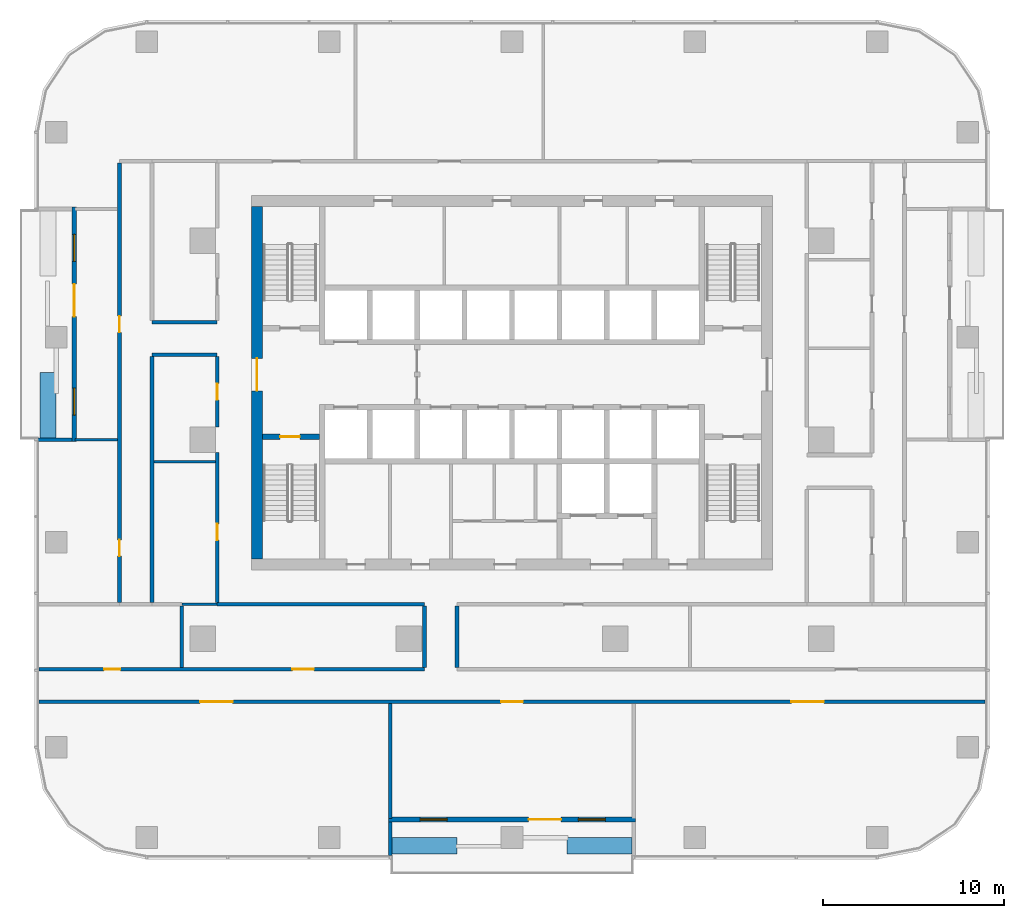
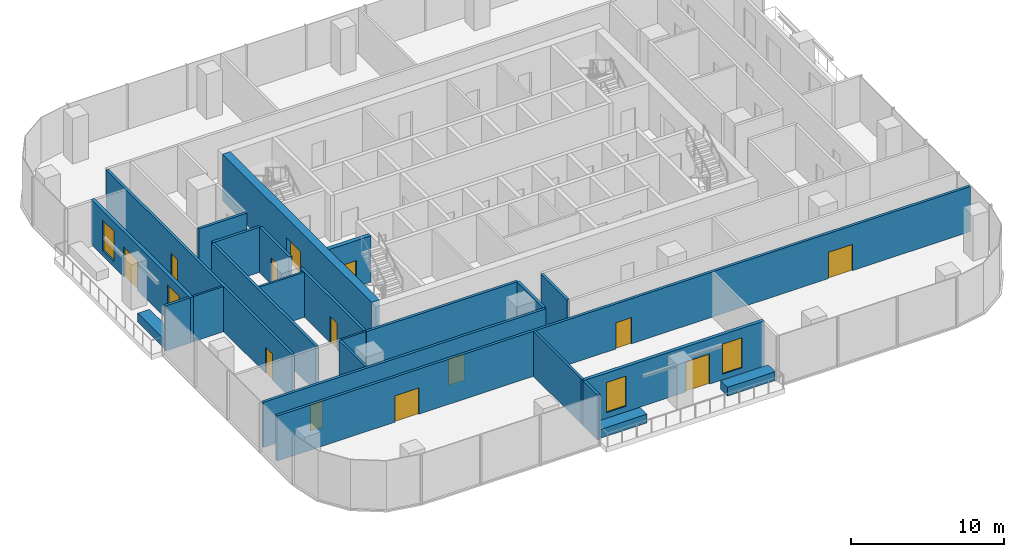
# One storey, part 7 of 15: 25 walls, 13 doors, 4 windows, 17 openings.
"""IFC4 building model written with IfcOpenShell, lengths in metres."""

import ifcopenshell
import ifcopenshell.guid

model = None  # the IFC model being written
_history = None  # IfcOwnerHistory: only IFC2X3 demands one
_inside = {}  # id of a spatial element -> (the spatial element, [elements in it])
_under = {}  # id of a project, library or spatial element -> (it, [spatial elements below it])
_declared = {}  # id of a project -> (the project, [libraries it declares])
_typed = {}  # id of a type object -> (the type object, [elements of that type])
_made_of = {}  # id of a material, layer set ... -> (it, [elements and type objects made of it])


def new_model(schema):
    """Start an empty IFC model of exactly this schema.

    Asked for "IFC4X3", IfcOpenShell would pick the latest addendum, in which some entities
    have other attributes; the version numbers below select the first issue.
    IFC2X3 requires an IfcOwnerHistory on every rooted entity: one is made here for all.
    """
    global model, _history
    if schema == "IFC4X3":
        model = ifcopenshell.file(schema_version=(4, 3, 0, 0))
    else:
        model = ifcopenshell.file(schema=schema)
    _inside.clear()
    _under.clear()
    _declared.clear()
    _typed.clear()
    _made_of.clear()
    _history = None
    if model.schema == "IFC2X3":
        org = make("IfcOrganization", Name="unknown")
        user = make(
            "IfcPersonAndOrganization",
            ThePerson=make("IfcPerson", FamilyName="unknown"),
            TheOrganization=org,
        )
        app = make(
            "IfcApplication",
            ApplicationDeveloper=org,
            Version="unknown",
            ApplicationFullName="unknown",
            ApplicationIdentifier="unknown",
        )
        _history = make(
            "IfcOwnerHistory",
            OwningUser=user,
            OwningApplication=app,
            ChangeAction="ADDED",
            CreationDate=0,
        )
    return model


def make(cls, **values):
    """One entity of the class cls with the attributes given. An attribute that is None is left unset."""
    return model.create_entity(
        cls, **{name: value for name, value in values.items() if value is not None}
    )


def rooted(cls, **values):
    """An entity with a GlobalId (a new one), such as an element, a storey or a relation."""
    return make(cls, GlobalId=ifcopenshell.guid.new(), OwnerHistory=_history, **values)


def si_unit(unit_type, name, prefix=None):
    """IfcSIUnit, for example si_unit("LENGTHUNIT", "METRE", prefix="MILLI")."""
    return make("IfcSIUnit", UnitType=unit_type, Prefix=prefix, Name=name)


def assignment(units):
    """IfcUnitAssignment: the units of a project."""
    return None if units is None else make("IfcUnitAssignment", Units=units)


def point(xyz):
    """IfcCartesianPoint."""
    return None if xyz is None else make("IfcCartesianPoint", Coordinates=xyz)


def direction(xyz):
    """IfcDirection."""
    return None if xyz is None else make("IfcDirection", DirectionRatios=xyz)


def frame(location, z_axis=None, x_axis=None):
    """IfcAxis2Placement3D, a coordinate frame: its origin and axes. An axis left out is left unset."""
    return make(
        "IfcAxis2Placement3D",
        Location=point(location),
        Axis=direction(z_axis),
        RefDirection=direction(x_axis),
    )


def frame_2d(location, x_axis=None):
    """IfcAxis2Placement2D, a coordinate frame in the plane: its origin and x axis."""
    return make(
        "IfcAxis2Placement2D", Location=point(location), RefDirection=direction(x_axis)
    )


def origin():
    """The frame at (0, 0, 0) with its axes left unset."""
    return frame((0.0, 0.0, 0.0))


def place(relative_to, where):
    """IfcLocalPlacement: puts the frame where relative to a parent placement (None: the world)."""
    return make(
        "IfcLocalPlacement", PlacementRelTo=relative_to, RelativePlacement=where
    )


def context(
    kind, dimensions, precision=None, world=None, true_north=None, identifier=None
):
    """IfcGeometricRepresentationContext, for example the 3D "Model" context."""
    return make(
        "IfcGeometricRepresentationContext",
        ContextIdentifier=identifier,
        ContextType=kind,
        CoordinateSpaceDimension=dimensions,
        Precision=precision,
        WorldCoordinateSystem=world,
        TrueNorth=true_north,
    )


def subcontext(parent, identifier, kind, view, scale=None):
    """IfcGeometricRepresentationSubContext, for example "Body" below "Model"."""
    return make(
        "IfcGeometricRepresentationSubContext",
        ContextIdentifier=identifier,
        ContextType=kind,
        ParentContext=parent,
        TargetScale=scale,
        TargetView=view,
    )


def project(units=None, contexts=None):
    """IfcProject with its units and contexts."""
    return rooted(
        "IfcProject",
        Name="project",
        RepresentationContexts=contexts,
        UnitsInContext=assignment(units),
    )


def spatial(cls, under=None, at=None, **own):
    """A site, building, storey or space (cls), placed at a placement, below another one or the project."""
    s = rooted(cls, ObjectPlacement=at, **own)
    if under is not None:
        _under.setdefault(under.id(), (under, []))[1].append(s)
    return s


def profile(cls, at=None, kind="AREA", **sizes):
    """A parametric profile (cls). Its sizes go by their IFC names, for example OverallWidth=200.0."""
    return make(cls, ProfileType=kind, Position=at, **sizes)


def rectangle(**sizes):
    """IfcRectangleProfileDef."""
    return profile("IfcRectangleProfileDef", **sizes)


def extrude(swept, where, along, depth):
    """IfcExtrudedAreaSolid: the profile swept, set in the frame where, extruded along a direction by depth."""
    return make(
        "IfcExtrudedAreaSolid",
        SweptArea=swept,
        Position=where,
        ExtrudedDirection=direction(along),
        Depth=depth,
    )


def shape(context_of_items, identifier, shape_type, items):
    """IfcShapeRepresentation: the items that make up one representation, for example the "Body"."""
    return make(
        "IfcShapeRepresentation",
        ContextOfItems=context_of_items,
        RepresentationIdentifier=identifier,
        RepresentationType=shape_type,
        Items=items,
    )


def material(Name=None, Category=None):
    """IfcMaterial."""
    return make("IfcMaterial", Name=Name, Category=Category)


def layer(
    of_material, thickness, ventilated=None, Name=None, Category=None, Priority=None
):
    """IfcMaterialLayer: one layer of a wall or slab, of a material (None: an air gap)."""
    return make(
        "IfcMaterialLayer",
        Material=of_material,
        LayerThickness=thickness,
        IsVentilated=ventilated,
        Name=Name,
        Category=Category,
        Priority=Priority,
    )


def layer_set(layers, Name=None):
    """IfcMaterialLayerSet."""
    return make("IfcMaterialLayerSet", MaterialLayers=layers, LayerSetName=Name)


def made_of(thing, what):
    """Note that an element or type object is made of a material, layer set ...; save() writes the relation."""
    if what is not None:
        _made_of.setdefault(what.id(), (what, []))[1].append(thing)
    return thing


def type_object(cls, material=None, **own):
    """A type object (cls), such as IfcWallType, which elements share."""
    return made_of(rooted(cls, **own), material)


def element(
    cls,
    number,
    at=None,
    inside=None,
    cuts=None,
    type_object=None,
    material=None,
    context=None,
    identifier="Body",
    shape_type=None,
    held_by="IfcProductDefinitionShape",
    body=None,
    shapes=None,
    **own,
):
    """One element of the class cls, such as IfcWall. Its Tag is "e" and its number.

    at: its placement. inside: the storey or other place that contains it. cuts: it is an
    opening in that element (IfcRelVoidsElement). A single representation is given by context,
    identifier, shape_type and body (its items); several are given by shapes. held_by: the class
    of the entity that holds the representations. save() writes the other relations.
    """
    e = rooted(cls, Tag="e%d" % number, ObjectPlacement=at, **own)
    if body is not None:
        shapes = [shape(context, identifier, shape_type, body)]
    if shapes is not None:
        e.Representation = make(held_by, Representations=shapes)
    if inside is not None:
        _inside.setdefault(inside.id(), (inside, []))[1].append(e)
    if cuts is not None:
        rooted(
            "IfcRelVoidsElement", RelatingBuildingElement=cuts, RelatedOpeningElement=e
        )
    if type_object is not None:
        _typed.setdefault(type_object.id(), (type_object, []))[1].append(e)
    return made_of(e, material)


def fill(opening, filler):
    """IfcRelFillsElement: the door or window that sits in an opening."""
    return rooted(
        "IfcRelFillsElement",
        RelatingOpeningElement=opening,
        RelatedBuildingElement=filler,
    )


def aggregate(whole, parts):
    """IfcRelAggregates: a whole, such as a stair, and the parts it consists of."""
    return rooted("IfcRelAggregates", RelatingObject=whole, RelatedObjects=parts)


def save(model, path):
    """Write the relations noted so far, then the file.

    IfcRelAggregates (storeys below a building ...), IfcRelContainedInSpatialStructure (elements
    in a storey), IfcRelDefinesByType, IfcRelAssociatesMaterial and IfcRelDeclares: one each for
    every whole, place, type object, material and project.
    """
    for whole, parts in _under.values():
        aggregate(whole, parts)
    for where, things in _inside.values():
        rooted(
            "IfcRelContainedInSpatialStructure",
            RelatedElements=things,
            RelatingStructure=where,
        )
    for kind, things in _typed.values():
        rooted("IfcRelDefinesByType", RelatedObjects=things, RelatingType=kind)
    for what, things in _made_of.values():
        rooted("IfcRelAssociatesMaterial", RelatedObjects=things, RelatingMaterial=what)
    for by, libraries in _declared.values():
        rooted("IfcRelDeclares", RelatingContext=by, RelatedDefinitions=libraries)
    model.write(path)


model = new_model("IFC4")

# Units and contexts
model_context = context("Model", 3, precision=1e-05, world=origin(), true_north=direction((0.0, 1.0)))
body_context = subcontext(model_context, "Body", "Model", "MODEL_VIEW")
ifc_project = project(units=[si_unit("LENGTHUNIT", "METRE"), si_unit("AREAUNIT", "SQUARE_METRE"), si_unit("VOLUMEUNIT", "CUBIC_METRE"), si_unit("PLANEANGLEUNIT", "RADIAN"), si_unit("MASSUNIT", "GRAM", prefix="KILO")], contexts=[model_context])

# Site, building, storey
site_placement = place(None, origin())
site = spatial("IfcSite", under=ifc_project, at=site_placement, CompositionType="ELEMENT")
building_placement = place(site_placement, origin())
building = spatial("IfcBuilding", under=site, at=building_placement, Name="Mopane Tessera Tower", CompositionType="ELEMENT")
storey_placement = place(building_placement, frame((0.0, 0.0, 173.0)))
storey = spatial("IfcBuildingStorey", under=building, at=storey_placement, Name="L35", CompositionType="ELEMENT", Elevation=173.0)

# Wall, opening, door
ifc_material_1 = material(Name="Concrete C70/85", Category="concrete")
ifc_layer_1 = layer(ifc_material_1, 0.60009765625)
ifc_layer_set_1 = layer_set([ifc_layer_1], Name="Concrete C70/85")
wall_type_1 = type_object("IfcWallType", Name="Core shear wall 600 mm", PredefinedType="SHEAR", material=ifc_layer_set_1)
wall_1_placement = place(storey_placement, frame((-14.10009765625, -6.60009765625, 0.0), z_axis=(0.0, 0.0, 1.0), x_axis=(0.0, 1.0, 0.0)))
wall_1 = element("IfcWall", 1, at=wall_1_placement, inside=storey, type_object=wall_type_1, Name="L35 Core wall west", PredefinedType="SHEAR", context=body_context, shape_type="SweptSolid", body=[
    extrude(rectangle(XDim=19.5, YDim=0.60009765625, at=frame_2d((9.75, 0.0))), origin(), (0.0, 0.0, 1.0), 3.699951171875),
])
opening_1_placement = place(wall_1_placement, frame((9.300048828125, 0.0, 0.0)))
opening_1 = element("IfcOpeningElement", 2, at=opening_1_placement, cuts=wall_1, Name="Opening SD2", PredefinedType="OPENING", context=body_context, shape_type="SweptSolid", body=[
    extrude(rectangle(XDim=1.800048828125, YDim=2.10009765625, at=frame_2d((0.89990234375, 1.050048828125))), frame((0.0, 0.31201171875, 0.0), z_axis=(0.0, -1.0, 0.0), x_axis=(1.0, 0.0, 0.0)), (0.0, 0.0, 1.0), 0.6240234375),
])
ifc_material_2 = material(Name="Steel fire door", Category="steel")
door_type_1 = type_object("IfcDoorType", Name="Core entrance double door 1800 x 2100", OperationType="DOUBLE_DOOR_SINGLE_SWING", PredefinedType="DOOR", material=ifc_material_2)
door_1_placement = place(opening_1_placement, origin())
door_1 = element("IfcDoor", 3, at=door_1_placement, inside=storey, type_object=door_type_1, Name="L35 Core entrance door west", OperationType="DOUBLE_DOOR_SINGLE_SWING", OverallHeight=2.10009765625, OverallWidth=1.800048828125, PredefinedType="DOOR", context=body_context, shape_type="SweptSolid", body=[
    extrude(rectangle(XDim=1.800048828125, YDim=2.10009765625, at=frame_2d((0.89990234375, 1.050048828125))), frame((0.0, 0.02490234375, 0.0), z_axis=(0.0, -1.0, 0.0), x_axis=(1.0, 0.0, 0.0)), (0.0, 0.0, 1.0), 0.050048828125),
])
fill(opening_1, door_1)

# Walls
ifc_material_3 = material(Name="Gypsum board on staggered steel studs, double layer each face, acoustic mineral wool infill", Category="steel")
ifc_layer_2 = layer(ifc_material_3, 0.175048828125)
ifc_layer_set_2 = layer_set([ifc_layer_2], Name="Gypsum board on staggered steel studs, double layer each face, acoustic mineral wool infill")
wall_type_2 = type_object("IfcWallType", Name="Gypsum board acoustic partition 175, rated EI 60", PredefinedType="PARTITIONING", material=ifc_layer_set_2)
wall_2_placement = place(storey_placement, frame((-18.2548828125, -12.60009765625, 0.0), z_axis=(0.0, 0.0, 1.0), x_axis=(0.0, 1.0, 0.0)))
element("IfcWall", 4, at=wall_2_placement, inside=storey, type_object=wall_type_2, Name="Partition L35:032", PredefinedType="PARTITIONING", context=body_context, shape_type="SweptSolid", body=[
    extrude(rectangle(XDim=3.412109375, YDim=0.175048828125, at=frame_2d((1.7060546875, 0.0))), origin(), (0.0, 0.0, 1.0), 3.60009765625),
])
wall_3_placement = place(storey_placement, frame((-6.735107421875, -20.949951171875, 0.0), z_axis=(0.0, 0.0, 1.0), x_axis=(0.0, 1.0, 0.0)))
element("IfcWall", 5, at=wall_3_placement, inside=storey, type_object=wall_type_2, Name="Partition L35:038", PredefinedType="PARTITIONING", context=body_context, shape_type="SweptSolid", body=[
    extrude(rectangle(XDim=6.349853515625, YDim=0.175048828125, at=frame_2d((3.1748046875, 0.0))), origin(), (0.0, 0.0, 1.0), 3.60009765625),
])

# Wall, openings, doors
ifc_material_4 = material(Name="Gypsum board on steel studs, two layers each face, mineral wool infill", Category="steel")
ifc_layer_3 = layer(ifc_material_4, 0.199951171875)
ifc_layer_set_3 = layer_set([ifc_layer_3], Name="Gypsum board on steel studs, two layers each face, mineral wool infill")
wall_type_3 = type_object("IfcWallType", Name="Gypsum board corridor wall 200, rated EI 60", PredefinedType="PARTITIONING", material=ifc_layer_set_3)
wall_4_placement = place(storey_placement, frame((-26.14990234375, -14.5, 0.0), z_axis=(0.0, 0.0, 1.0), x_axis=(1.0, 0.0, 0.0)))
wall_4 = element("IfcWall", 6, at=wall_4_placement, inside=storey, type_object=wall_type_3, Name="Partition L35:000", PredefinedType="PARTITIONING", context=body_context, shape_type="SweptSolid", body=[
    extrude(rectangle(XDim=52.2998046875, YDim=0.199951171875, at=frame_2d((26.14990234375, 0.0))), origin(), (0.0, 0.0, 1.0), 3.60009765625),
])
opening_2_placement = place(wall_4_placement, frame((8.907470703125, 0.0, 0.0)))
opening_2 = element("IfcOpeningElement", 7, at=opening_2_placement, cuts=wall_4, Name="Opening L35-01", PredefinedType="OPENING", context=body_context, shape_type="SweptSolid", body=[
    extrude(rectangle(XDim=1.800048828125, YDim=2.10009765625, at=frame_2d((0.89990234375, 1.050048828125))), frame((0.0, 0.112060546875, 0.0), z_axis=(0.0, -1.0, 0.0), x_axis=(1.0, 0.0, 0.0)), (0.0, 0.0, 1.0), 0.223876953125),
])
opening_3_placement = place(wall_4_placement, frame((25.550048828125, 0.0, 0.0)))
opening_3 = element("IfcOpeningElement", 8, at=opening_3_placement, cuts=wall_4, Name="Opening L35-08", PredefinedType="OPENING", context=body_context, shape_type="SweptSolid", body=[
    extrude(rectangle(XDim=1.199951171875, YDim=2.10009765625, at=frame_2d((0.60009765625, 1.050048828125))), frame((0.0, 0.112060546875, 0.0), z_axis=(0.0, -1.0, 0.0), x_axis=(1.0, 0.0, 0.0)), (0.0, 0.0, 1.0), 0.223876953125),
])
opening_4_placement = place(wall_4_placement, frame((41.592529296875, 0.0, 0.0)))
opening_4 = element("IfcOpeningElement", 9, at=opening_4_placement, cuts=wall_4, Name="Opening L35-22", PredefinedType="OPENING", context=body_context, shape_type="SweptSolid", body=[
    extrude(rectangle(XDim=1.800048828125, YDim=2.10009765625, at=frame_2d((0.89990234375, 1.050048828125))), frame((0.0, 0.112060546875, 0.0), z_axis=(0.0, -1.0, 0.0), x_axis=(1.0, 0.0, 0.0)), (0.0, 0.0, 1.0), 0.223876953125),
])
ifc_material_5 = material(Name="Timber veneered steel-framed fire door", Category="steel")
door_type_2 = type_object("IfcDoorType", Name="Fire door FD60 1200 x 2100", OperationType="SINGLE_SWING_LEFT", PredefinedType="DOOR", material=ifc_material_5)
door_2_placement = place(opening_3_placement, origin())
door_2 = element("IfcDoor", 10, at=door_2_placement, inside=storey, type_object=door_type_2, Name="Door L35-08", ObjectType="D15A", OperationType="SINGLE_SWING_RIGHT", OverallHeight=2.10009765625, OverallWidth=1.199951171875, PredefinedType="DOOR", context=body_context, shape_type="SweptSolid", body=[
    extrude(rectangle(XDim=1.199951171875, YDim=2.10009765625, at=frame_2d((0.60009765625, 1.050048828125))), frame((0.0, 0.02490234375, 0.0), z_axis=(0.0, -1.0, 0.0), x_axis=(1.0, 0.0, 0.0)), (0.0, 0.0, 1.0), 0.050048828125),
])
fill(opening_3, door_2)
ifc_material_6 = material(Name="Timber veneered steel-framed fire door", Category="steel")
door_type_3 = type_object("IfcDoorType", Name="Fire door pair FD60 1800 x 2100", OperationType="DOUBLE_DOOR_SINGLE_SWING", PredefinedType="DOOR", material=ifc_material_6)
door_3_placement = place(opening_2_placement, origin())
door_3 = element("IfcDoor", 11, at=door_3_placement, inside=storey, type_object=door_type_3, Name="Door L35-01", ObjectType="D20A", OperationType="DOUBLE_DOOR_SINGLE_SWING", OverallHeight=2.10009765625, OverallWidth=1.800048828125, PredefinedType="DOOR", context=body_context, shape_type="SweptSolid", body=[
    extrude(rectangle(XDim=1.800048828125, YDim=2.10009765625, at=frame_2d((0.89990234375, 1.050048828125))), frame((0.0, 0.02490234375, 0.0), z_axis=(0.0, -1.0, 0.0), x_axis=(1.0, 0.0, 0.0)), (0.0, 0.0, 1.0), 0.050048828125),
])
fill(opening_2, door_3)
door_4_placement = place(opening_4_placement, origin())
door_4 = element("IfcDoor", 12, at=door_4_placement, inside=storey, type_object=door_type_3, Name="Door L35-22", ObjectType="D20A", OperationType="DOUBLE_DOOR_SINGLE_SWING", OverallHeight=2.10009765625, OverallWidth=1.800048828125, PredefinedType="DOOR", context=body_context, shape_type="SweptSolid", body=[
    extrude(rectangle(XDim=1.800048828125, YDim=2.10009765625, at=frame_2d((0.89990234375, 1.050048828125))), frame((0.0, 0.02490234375, 0.0), z_axis=(0.0, -1.0, 0.0), x_axis=(1.0, 0.0, 0.0)), (0.0, 0.0, 1.0), 0.050048828125),
])
fill(opening_4, door_4)

wall_5_placement = place(storey_placement, frame((-26.14990234375, -12.699951171875, 0.0), z_axis=(0.0, 0.0, 1.0), x_axis=(1.0, 0.0, 0.0)))
wall_5 = element("IfcWall", 13, at=wall_5_placement, inside=storey, type_object=wall_type_3, Name="Partition L35:001", PredefinedType="PARTITIONING", context=body_context, shape_type="SweptSolid", body=[
    extrude(rectangle(XDim=21.309814453125, YDim=0.199951171875, at=frame_2d((10.65478515625, 0.0))), origin(), (0.0, 0.0, 1.0), 3.60009765625),
])
opening_5_placement = place(wall_5_placement, frame((3.597412109375, 0.0, 0.0)))
opening_5 = element("IfcOpeningElement", 14, at=opening_5_placement, cuts=wall_5, Name="Opening L35-04", PredefinedType="OPENING", context=body_context, shape_type="SweptSolid", body=[
    extrude(rectangle(XDim=0.89990234375, YDim=2.10009765625, at=frame_2d((0.449951171875, 1.050048828125))), frame((0.0, 0.112060546875, 0.0), z_axis=(0.0, -1.0, 0.0), x_axis=(1.0, 0.0, 0.0)), (0.0, 0.0, 1.0), 0.223876953125),
])
opening_6_placement = place(wall_5_placement, frame((14.00244140625, 0.0, 0.0)))
opening_6 = element("IfcOpeningElement", 15, at=opening_6_placement, cuts=wall_5, Name="Opening L35-14", PredefinedType="OPENING", context=body_context, shape_type="SweptSolid", body=[
    extrude(rectangle(XDim=1.199951171875, YDim=2.10009765625, at=frame_2d((0.60009765625, 1.050048828125))), frame((0.0, 0.112060546875, 0.0), z_axis=(0.0, -1.0, 0.0), x_axis=(1.0, 0.0, 0.0)), (0.0, 0.0, 1.0), 0.223876953125),
])
door_5_placement = place(opening_6_placement, origin())
door_5 = element("IfcDoor", 16, at=door_5_placement, inside=storey, type_object=door_type_2, Name="Door L35-14", ObjectType="D15A", OperationType="SINGLE_SWING_LEFT", OverallHeight=2.10009765625, OverallWidth=1.199951171875, PredefinedType="DOOR", context=body_context, shape_type="SweptSolid", body=[
    extrude(rectangle(XDim=1.199951171875, YDim=2.10009765625, at=frame_2d((0.60009765625, 1.050048828125))), frame((0.0, 0.02490234375, 0.0), z_axis=(0.0, -1.0, 0.0), x_axis=(1.0, 0.0, 0.0)), (0.0, 0.0, 1.0), 0.050048828125),
])
fill(opening_6, door_5)
ifc_material_7 = material(Name="Timber veneered steel-framed fire door", Category="steel")
door_type_4 = type_object("IfcDoorType", Name="Fire door FD60 900 x 2100", OperationType="SINGLE_SWING_LEFT", PredefinedType="DOOR", material=ifc_material_7)
door_6_placement = place(opening_5_placement, origin())
door_6 = element("IfcDoor", 17, at=door_6_placement, inside=storey, type_object=door_type_4, Name="Door L35-04", ObjectType="D10A", OperationType="SINGLE_SWING_LEFT", OverallHeight=2.10009765625, OverallWidth=0.89990234375, PredefinedType="DOOR", context=body_context, shape_type="SweptSolid", body=[
    extrude(rectangle(XDim=0.89990234375, YDim=2.10009765625, at=frame_2d((0.449951171875, 1.050048828125))), frame((0.0, 0.02490234375, 0.0), z_axis=(0.0, -1.0, 0.0), x_axis=(1.0, 0.0, 0.0)), (0.0, 0.0, 1.0), 0.050048828125),
])
fill(opening_5, door_6)

# Walls
wall_6_placement = place(storey_placement, frame((-16.300048828125, -9.10009765625, 0.0), z_axis=(0.0, 0.0, 1.0), x_axis=(1.0, 0.0, 0.0)))
element("IfcWall", 18, at=wall_6_placement, inside=storey, type_object=wall_type_3, Name="Partition L35:009", PredefinedType="PARTITIONING", context=body_context, shape_type="SweptSolid", body=[
    extrude(rectangle(XDim=11.4599609375, YDim=0.199951171875, at=frame_2d((5.72998046875, 0.0))), origin(), (0.0, 0.0, 1.0), 3.60009765625),
])
for number, where, z_axis, x_axis, name in (
    (19, (-19.89990234375, 4.699951171875, 0.0), (0.0, 0.0, 1.0), (1.0, 0.0, 0.0), "Partition L35:017"),
    (20, (-19.89990234375, 6.5, 0.0), (0.0, 0.0, 1.0), (1.0, 0.0, 0.0), "Partition L35:019"),
):
    element("IfcWall", number, at=place(storey_placement, frame(where, z_axis=z_axis, x_axis=x_axis)), inside=storey, type_object=wall_type_3, Name=name, PredefinedType="PARTITIONING", context=body_context, shape_type="SweptSolid", body=[
        extrude(rectangle(XDim=3.599853515625, YDim=0.199951171875, at=frame_2d((1.7998046875, 0.0))), origin(), (0.0, 0.0, 1.0), 3.60009765625),
    ])

# Wall, openings, doors
wall_7_placement = place(storey_placement, frame((-21.699951171875, -9.0, 0.0), z_axis=(0.0, 0.0, 1.0), x_axis=(0.0, 1.0, 0.0)))
wall_7 = element("IfcWall", 21, at=wall_7_placement, inside=storey, type_object=wall_type_3, Name="Partition L35:029", PredefinedType="PARTITIONING", context=body_context, shape_type="SweptSolid", body=[
    extrude(rectangle(XDim=24.300048828125, YDim=0.199951171875, at=frame_2d((12.14990234375, 0.0))), origin(), (0.0, 0.0, 1.0), 3.60009765625),
])
opening_7_placement = place(wall_7_placement, frame((14.925048828125, 0.0, 0.0)))
opening_7 = element("IfcOpeningElement", 22, at=opening_7_placement, cuts=wall_7, Name="Opening L35-07", PredefinedType="OPENING", context=body_context, shape_type="SweptSolid", body=[
    extrude(rectangle(XDim=0.89990234375, YDim=2.10009765625, at=frame_2d((0.449951171875, 1.050048828125))), frame((0.0, 0.112060546875, 0.0), z_axis=(0.0, -1.0, 0.0), x_axis=(1.0, 0.0, 0.0)), (0.0, 0.0, 1.0), 0.223876953125),
])
opening_8_placement = place(wall_7_placement, frame((2.5625, 0.0, 0.0)))
opening_8 = element("IfcOpeningElement", 23, at=opening_8_placement, cuts=wall_7, Name="Opening L35-19", PredefinedType="OPENING", context=body_context, shape_type="SweptSolid", body=[
    extrude(rectangle(XDim=0.89990234375, YDim=2.10009765625, at=frame_2d((0.449951171875, 1.050048828125))), frame((0.0, 0.112060546875, 0.0), z_axis=(0.0, -1.0, 0.0), x_axis=(1.0, 0.0, 0.0)), (0.0, 0.0, 1.0), 0.223876953125),
])
door_7_placement = place(opening_7_placement, origin())
door_7 = element("IfcDoor", 24, at=door_7_placement, inside=storey, type_object=door_type_4, Name="Door L35-07", ObjectType="D10A", OperationType="SINGLE_SWING_RIGHT", OverallHeight=2.10009765625, OverallWidth=0.89990234375, PredefinedType="DOOR", context=body_context, shape_type="SweptSolid", body=[
    extrude(rectangle(XDim=0.89990234375, YDim=2.10009765625, at=frame_2d((0.449951171875, 1.050048828125))), frame((0.0, 0.02490234375, 0.0), z_axis=(0.0, -1.0, 0.0), x_axis=(1.0, 0.0, 0.0)), (0.0, 0.0, 1.0), 0.050048828125),
])
fill(opening_7, door_7)
door_8_placement = place(opening_8_placement, origin())
door_8 = element("IfcDoor", 25, at=door_8_placement, inside=storey, type_object=door_type_4, Name="Door L35-19", ObjectType="D10A", OperationType="SINGLE_SWING_RIGHT", OverallHeight=2.10009765625, OverallWidth=0.89990234375, PredefinedType="DOOR", context=body_context, shape_type="SweptSolid", body=[
    extrude(rectangle(XDim=0.89990234375, YDim=2.10009765625, at=frame_2d((0.449951171875, 1.050048828125))), frame((0.0, 0.02490234375, 0.0), z_axis=(0.0, -1.0, 0.0), x_axis=(1.0, 0.0, 0.0)), (0.0, 0.0, 1.0), 0.050048828125),
])
fill(opening_8, door_8)

# Wall
wall_8_placement = place(storey_placement, frame((-19.89990234375, -9.0, 0.0), z_axis=(0.0, 0.0, 1.0), x_axis=(0.0, 1.0, 0.0)))
element("IfcWall", 26, at=wall_8_placement, inside=storey, type_object=wall_type_3, Name="Partition L35:030", PredefinedType="PARTITIONING", context=body_context, shape_type="SweptSolid", body=[
    extrude(rectangle(XDim=13.60009765625, YDim=0.199951171875, at=frame_2d((6.800048828125, 0.0))), origin(), (0.0, 0.0, 1.0), 3.60009765625),
])

# Wall, opening, door
wall_9_placement = place(storey_placement, frame((-16.300048828125, -9.0, 0.0), z_axis=(0.0, 0.0, 1.0), x_axis=(0.0, 1.0, 0.0)))
wall_9 = element("IfcWall", 27, at=wall_9_placement, inside=storey, type_object=wall_type_3, Name="Partition L35:033", PredefinedType="PARTITIONING", context=body_context, shape_type="SweptSolid", body=[
    extrude(rectangle(XDim=8.300048828125, YDim=0.199951171875, at=frame_2d((4.14990234375, 0.0))), origin(), (0.0, 0.0, 1.0), 3.60009765625),
])
opening_9_placement = place(wall_9_placement, frame((3.4423828125, 0.0, 0.0)))
opening_9 = element("IfcOpeningElement", 28, at=opening_9_placement, cuts=wall_9, Name="Opening L35-10", PredefinedType="OPENING", context=body_context, shape_type="SweptSolid", body=[
    extrude(rectangle(XDim=0.89990234375, YDim=2.10009765625, at=frame_2d((0.449951171875, 1.050048828125))), frame((0.0, 0.112060546875, 0.0), z_axis=(0.0, -1.0, 0.0), x_axis=(1.0, 0.0, 0.0)), (0.0, 0.0, 1.0), 0.223876953125),
])
door_9_placement = place(opening_9_placement, origin())
door_9 = element("IfcDoor", 29, at=door_9_placement, inside=storey, type_object=door_type_4, Name="Door L35-10", ObjectType="D10A", OperationType="SINGLE_SWING_LEFT", OverallHeight=2.10009765625, OverallWidth=0.89990234375, PredefinedType="DOOR", context=body_context, shape_type="SweptSolid", body=[
    extrude(rectangle(XDim=0.89990234375, YDim=2.10009765625, at=frame_2d((0.449951171875, 1.050048828125))), frame((0.0, 0.02490234375, 0.0), z_axis=(0.0, -1.0, 0.0), x_axis=(1.0, 0.0, 0.0)), (0.0, 0.0, 1.0), 0.050048828125),
])
fill(opening_9, door_9)

wall_10_placement = place(storey_placement, frame((-16.300048828125, 0.699951171875, 0.0), z_axis=(0.0, 0.0, 1.0), x_axis=(0.0, 1.0, 0.0)))
wall_10 = element("IfcWall", 30, at=wall_10_placement, inside=storey, type_object=wall_type_3, Name="Partition L35:034", PredefinedType="PARTITIONING", context=body_context, shape_type="SweptSolid", body=[
    extrude(rectangle(XDim=3.900146484375, YDim=0.199951171875, at=frame_2d((1.9501953125, 0.0))), origin(), (0.0, 0.0, 1.0), 3.60009765625),
])
opening_10_placement = place(wall_10_placement, frame((1.5, 0.0, 0.0)))
opening_10 = element("IfcOpeningElement", 31, at=opening_10_placement, cuts=wall_10, Name="Opening L35-16", PredefinedType="OPENING", context=body_context, shape_type="SweptSolid", body=[
    extrude(rectangle(XDim=0.89990234375, YDim=2.10009765625, at=frame_2d((0.449951171875, 1.050048828125))), frame((0.0, 0.112060546875, 0.0), z_axis=(0.0, -1.0, 0.0), x_axis=(1.0, 0.0, 0.0)), (0.0, 0.0, 1.0), 0.223876953125),
])
door_10_placement = place(opening_10_placement, origin())
door_10 = element("IfcDoor", 32, at=door_10_placement, inside=storey, type_object=door_type_4, Name="Door L35-16", ObjectType="D10A", OperationType="SINGLE_SWING_LEFT", OverallHeight=2.10009765625, OverallWidth=0.89990234375, PredefinedType="DOOR", context=body_context, shape_type="SweptSolid", body=[
    extrude(rectangle(XDim=0.89990234375, YDim=2.10009765625, at=frame_2d((0.449951171875, 1.050048828125))), frame((0.0, 0.02490234375, 0.0), z_axis=(0.0, -1.0, 0.0), x_axis=(1.0, 0.0, 0.0)), (0.0, 0.0, 1.0), 0.050048828125),
])
fill(opening_10, door_10)

# Walls
for number, where, z_axis, x_axis, name in (
    (33, (-4.840087890625, -12.60009765625, 0.0), (0.0, 0.0, 1.0), (0.0, 1.0, 0.0), "Partition L35:039"),
    (34, (-3.0400390625, -12.60009765625, 0.0), (0.0, 0.0, 1.0), (0.0, 1.0, 0.0), "Partition L35:040"),
):
    element("IfcWall", number, at=place(storey_placement, frame(where, z_axis=z_axis, x_axis=x_axis)), inside=storey, type_object=wall_type_3, Name=name, PredefinedType="PARTITIONING", context=body_context, shape_type="SweptSolid", body=[
        extrude(rectangle(XDim=3.400146484375, YDim=0.199951171875, at=frame_2d((1.7001953125, 0.0))), origin(), (0.0, 0.0, 1.0), 3.60009765625),
    ])
ifc_material_8 = material(Name="Gypsum board on steel studs, mineral wool infill", Category="steel")
ifc_layer_4 = layer(ifc_material_8, 0.14990234375)
ifc_layer_set_4 = layer_set([ifc_layer_4], Name="Gypsum board on steel studs, mineral wool infill")
wall_type_4 = type_object("IfcWallType", Name="Gypsum board partition 150, rated EI 60", PredefinedType="PARTITIONING", material=ifc_layer_set_4)
wall_11_placement = place(storey_placement, frame((-18.2548828125, -9.10009765625, 0.0), z_axis=(0.0, 0.0, 1.0), x_axis=(1.0, 0.0, 0.0)))
element("IfcWall", 35, at=wall_11_placement, inside=storey, type_object=wall_type_4, Name="Partition L35:003", PredefinedType="PARTITIONING", context=body_context, shape_type="SweptSolid", body=[
    extrude(rectangle(XDim=1.954833984375, YDim=0.14990234375, at=frame_2d((0.9775390625, 0.0))), origin(), (0.0, 0.0, 1.0), 3.60009765625),
])
wall_12_placement = place(storey_placement, frame((-19.800048828125, -1.215087890625, 0.0), z_axis=(0.0, 0.0, 1.0), x_axis=(1.0, 0.0, 0.0)))
element("IfcWall", 36, at=wall_12_placement, inside=storey, type_object=wall_type_4, Name="Partition L35:013", PredefinedType="PARTITIONING", context=body_context, shape_type="SweptSolid", body=[
    extrude(rectangle(XDim=3.400146484375, YDim=0.14990234375, at=frame_2d((1.7001953125, 0.0))), origin(), (0.0, 0.0, 1.0), 3.60009765625),
])
wall_13_placement = place(storey_placement, frame((-24.14990234375, 0.0, 0.0), z_axis=(0.0, 0.0, 1.0), x_axis=(1.0, 0.0, 0.0)))
element("IfcWall", 37, at=wall_13_placement, inside=storey, type_object=wall_type_4, Name="Partition L35:015", PredefinedType="PARTITIONING", context=body_context, shape_type="SweptSolid", body=[
    extrude(rectangle(XDim=2.349853515625, YDim=0.14990234375, at=frame_2d((1.1748046875, 0.0))), origin(), (0.0, 0.0, 1.0), 3.60009765625),
])

# Wall, opening, door
ifc_material_9 = material(Name="Concrete C50/60", Category="concrete")
ifc_layer_5 = layer(ifc_material_9, 0.300048828125)
ifc_layer_set_5 = layer_set([ifc_layer_5], Name="Concrete C50/60")
wall_type_5 = type_object("IfcWallType", Name="Lift and stair shaft wall 300 mm", PredefinedType="SOLIDWALL", material=ifc_layer_set_5)
wall_14_placement = place(storey_placement, frame((-13.800048828125, 0.14990234375, 0.0), z_axis=(0.0, 0.0, 1.0), x_axis=(1.0, 0.0, 0.0)))
wall_14 = element("IfcWall", 38, at=wall_14_placement, inside=storey, type_object=wall_type_5, Name="L35 Stair enclosure wall", PredefinedType="SOLIDWALL", context=body_context, shape_type="SweptSolid", body=[
    extrude(rectangle(XDim=3.150146484375, YDim=0.300048828125, at=frame_2d((1.5751953125, 0.0))), origin(), (0.0, 0.0, 1.0), 3.699951171875),
])
opening_11_placement = place(wall_14_placement, frame((0.97509765625, 0.0, 0.0)))
opening_11 = element("IfcOpeningElement", 39, at=opening_11_placement, cuts=wall_14, Name="Opening SD1", PredefinedType="OPENING", context=body_context, shape_type="SweptSolid", body=[
    extrude(rectangle(XDim=1.10009765625, YDim=2.10009765625, at=frame_2d((0.550048828125, 1.050048828125))), frame((0.0, 0.162109375, 0.0), z_axis=(0.0, -1.0, 0.0), x_axis=(1.0, 0.0, 0.0)), (0.0, 0.0, 1.0), 0.323974609375),
])
ifc_material_10 = material(Name="Steel fire door", Category="steel")
door_type_5 = type_object("IfcDoorType", Name="Stair fire door 1100 x 2100", OperationType="SINGLE_SWING_LEFT", PredefinedType="DOOR", material=ifc_material_10)
door_11_placement = place(opening_11_placement, origin())
door_11 = element("IfcDoor", 40, at=door_11_placement, inside=storey, type_object=door_type_5, Name="L35 Stair door ST1", OperationType="SINGLE_SWING_LEFT", OverallHeight=2.10009765625, OverallWidth=1.10009765625, PredefinedType="DOOR", context=body_context, shape_type="SweptSolid", body=[
    extrude(rectangle(XDim=1.10009765625, YDim=2.10009765625, at=frame_2d((0.550048828125, 1.050048828125))), frame((0.0, 0.02490234375, 0.0), z_axis=(0.0, -1.0, 0.0), x_axis=(1.0, 0.0, 0.0)), (0.0, 0.0, 1.0), 0.050048828125),
])
fill(opening_11, door_11)

# Walls
ifc_material_11 = material(Name="Reinforced concrete C32/40 with waterproofing", Category="concrete")
ifc_layer_6 = layer(ifc_material_11, 0.89990234375)
ifc_layer_set_6 = layer_set([ifc_layer_6], Name="Reinforced concrete C32/40 with waterproofing")
wall_type_6 = type_object("IfcWallType", Name="Planter trough 3600 x 900", PredefinedType="STANDARD", material=ifc_layer_set_6)
for number, where, z_axis, x_axis, name in (
    (41, (-25.64990234375, 3.699951171875, 0.0), (0.0, 0.0, 1.0), (0.0, -1.0, 0.0), "e:nw:L35:N1:pl1"),
    (42, (-6.63330078125, -22.449951171875, 0.0), (0.0, 0.0, 1.0), (1.0, 0.0, 0.0), "e:nw:L35:N2:pl0"),
    (43, (3.033447265625, -22.449951171875, 0.0), (0.0, 0.0, 1.0), (1.0, 0.0, 0.0), "e:nw:L35:N2:pl1"),
):
    element("IfcWall", number, at=place(storey_placement, frame(where, z_axis=z_axis, x_axis=x_axis)), inside=storey, type_object=wall_type_6, Name=name, PredefinedType="STANDARD", context=body_context, shape_type="SweptSolid", body=[
        extrude(rectangle(XDim=3.599853515625, YDim=0.89990234375, at=frame_2d((1.7998046875, 0.0))), origin(), (0.0, 0.0, 1.0), 0.699951171875),
    ])
ifc_material_12 = material(Name="Blockwork with glazed tile facing", Category="masonry")
ifc_layer_7 = layer(ifc_material_12, 0.199951171875)
ifc_layer_set_7 = layer_set([ifc_layer_7], Name="Blockwork with glazed tile facing")
wall_type_7 = type_object("IfcWallType", Name="Terrace cheek wall 200", PredefinedType="STANDARD", material=ifc_layer_set_7)
for number, where, z_axis, x_axis, name in (
    (44, (-26.199951171875, 0.0, 0.0), (0.0, 0.0, 1.0), (1.0, 0.0, 0.0), "e:nw:L35:N1:cheekb"),
    (45, (-6.7333984375, -23.0, 0.0), (0.0, 0.0, 1.0), (0.0, 1.0, 0.0), "e:nw:L35:N2:cheeka"),
):
    element("IfcWall", number, at=place(storey_placement, frame(where, z_axis=z_axis, x_axis=x_axis)), inside=storey, type_object=wall_type_7, Name=name, PredefinedType="STANDARD", context=body_context, shape_type="SweptSolid", body=[
        extrude(rectangle(XDim=1.875, YDim=0.199951171875, at=frame_2d((0.9375, 0.0))), origin(), (0.0, 0.0, 1.0), 3.60009765625),
    ])

# Wall, openings, windows, door
ifc_material_13 = material(Name="Blockwork with ochre glazed tile facing", Category="masonry")
ifc_layer_8 = layer(ifc_material_13, 0.25)
ifc_layer_set_8 = layer_set([ifc_layer_8], Name="Blockwork with ochre glazed tile facing")
wall_type_8 = type_object("IfcWallType", Name="Tile-clad external wall 250, ochre", PredefinedType="STANDARD", material=ifc_layer_set_8)
wall_15_placement = place(storey_placement, frame((-24.199951171875, 12.85009765625, 0.0), z_axis=(0.0, 0.0, 1.0), x_axis=(0.0, -1.0, 0.0)))
wall_15 = element("IfcWall", 46, at=wall_15_placement, inside=storey, type_object=wall_type_8, Name="e:nw:L35:N1:back", PredefinedType="STANDARD", context=body_context, shape_type="SweptSolid", body=[
    extrude(rectangle(XDim=12.9501953125, YDim=0.25, at=frame_2d((6.47509765625, 0.0))), origin(), (0.0, 0.0, 1.0), 3.60009765625),
])
opening_12_placement = place(wall_15_placement, frame((1.5, 0.0, 0.449951171875)))
opening_12 = element("IfcOpeningElement", 47, at=opening_12_placement, cuts=wall_15, Name="Opening NW351A", PredefinedType="OPENING", context=body_context, shape_type="SweptSolid", body=[
    extrude(rectangle(XDim=1.5, YDim=2.39990234375, at=frame_2d((0.75, 1.199951171875))), frame((0.0, 0.136962890625, 0.0), z_axis=(0.0, -1.0, 0.0), x_axis=(1.0, 0.0, 0.0)), (0.0, 0.0, 1.0), 0.27392578125),
])
opening_13_placement = place(wall_15_placement, frame((4.25, 0.0, 0.0)))
opening_13 = element("IfcOpeningElement", 48, at=opening_13_placement, cuts=wall_15, Name="Opening ND351", PredefinedType="OPENING", context=body_context, shape_type="SweptSolid", body=[
    extrude(rectangle(XDim=1.800048828125, YDim=2.39990234375, at=frame_2d((0.89990234375, 1.199951171875))), frame((0.0, 0.136962890625, 0.0), z_axis=(0.0, -1.0, 0.0), x_axis=(1.0, 0.0, 0.0)), (0.0, 0.0, 1.0), 0.27392578125),
])
opening_14_placement = place(wall_15_placement, frame((10.0, 0.0, 0.449951171875)))
opening_14 = element("IfcOpeningElement", 49, at=opening_14_placement, cuts=wall_15, Name="Opening NW351B", PredefinedType="OPENING", context=body_context, shape_type="SweptSolid", body=[
    extrude(rectangle(XDim=1.5, YDim=2.39990234375, at=frame_2d((0.75, 1.199951171875))), frame((0.0, 0.136962890625, 0.0), z_axis=(0.0, -1.0, 0.0), x_axis=(1.0, 0.0, 0.0)), (0.0, 0.0, 1.0), 0.27392578125),
])
ifc_material_14 = material(Name="Clear laminated glass", Category="glass")
window_type = type_object("IfcWindowType", Name="Fixed window 1500 x 2400", PartitioningType="SINGLE_PANEL", PredefinedType="WINDOW", material=ifc_material_14)
window_1_placement = place(opening_12_placement, origin())
window_1 = element("IfcWindow", 50, at=window_1_placement, inside=storey, type_object=window_type, Name="e:nw:L35:N1:win0", OverallHeight=2.39990234375, OverallWidth=1.5, PartitioningType="SINGLE_PANEL", PredefinedType="WINDOW", context=body_context, shape_type="SweptSolid", body=[
    extrude(rectangle(XDim=1.5, YDim=2.39990234375, at=frame_2d((0.75, 1.199951171875))), frame((0.0, 0.030029296875, 0.0), z_axis=(0.0, -1.0, 0.0), x_axis=(1.0, 0.0, 0.0)), (0.0, 0.0, 1.0), 0.06005859375),
])
fill(opening_12, window_1)
window_2_placement = place(opening_14_placement, origin())
window_2 = element("IfcWindow", 51, at=window_2_placement, inside=storey, type_object=window_type, Name="e:nw:L35:N1:win2", OverallHeight=2.39990234375, OverallWidth=1.5, PartitioningType="SINGLE_PANEL", PredefinedType="WINDOW", context=body_context, shape_type="SweptSolid", body=[
    extrude(rectangle(XDim=1.5, YDim=2.39990234375, at=frame_2d((0.75, 1.199951171875))), frame((0.0, 0.030029296875, 0.0), z_axis=(0.0, -1.0, 0.0), x_axis=(1.0, 0.0, 0.0)), (0.0, 0.0, 1.0), 0.06005859375),
])
fill(opening_14, window_2)
ifc_material_15 = material(Name="Aluminium and clear glass", Category="aluminium")
door_type_6 = type_object("IfcDoorType", Name="Terrace double door 1800 x 2400", OperationType="DOUBLE_DOOR_SINGLE_SWING", PredefinedType="DOOR", material=ifc_material_15)
door_12_placement = place(opening_13_placement, origin())
door_12 = element("IfcDoor", 52, at=door_12_placement, inside=storey, type_object=door_type_6, Name="e:nw:L35:N1:door", ObjectType="D1", OperationType="DOUBLE_DOOR_SINGLE_SWING", OverallHeight=2.39990234375, OverallWidth=1.800048828125, PredefinedType="DOOR", context=body_context, shape_type="SweptSolid", body=[
    extrude(rectangle(XDim=1.800048828125, YDim=2.39990234375, at=frame_2d((0.89990234375, 1.199951171875))), frame((0.0, 0.02490234375, 0.0), z_axis=(0.0, -1.0, 0.0), x_axis=(1.0, 0.0, 0.0)), (0.0, 0.0, 1.0), 0.050048828125),
])
fill(opening_13, door_12)

wall_16_placement = place(storey_placement, frame((-6.833251953125, -21.0, 0.0), z_axis=(0.0, 0.0, 1.0), x_axis=(1.0, 0.0, 0.0)))
wall_16 = element("IfcWall", 53, at=wall_16_placement, inside=storey, type_object=wall_type_8, Name="e:nw:L35:N2:back", PredefinedType="STANDARD", context=body_context, shape_type="SweptSolid", body=[
    extrude(rectangle(XDim=13.66650390625, YDim=0.25, at=frame_2d((6.833251953125, 0.0))), origin(), (0.0, 0.0, 1.0), 3.60009765625),
])
opening_15_placement = place(wall_16_placement, frame((1.75, 0.0, 0.449951171875)))
opening_15 = element("IfcOpeningElement", 54, at=opening_15_placement, cuts=wall_16, Name="Opening NW352A", PredefinedType="OPENING", context=body_context, shape_type="SweptSolid", body=[
    extrude(rectangle(XDim=1.5, YDim=2.39990234375, at=frame_2d((0.75, 1.199951171875))), frame((0.0, 0.136962890625, 0.0), z_axis=(0.0, -1.0, 0.0), x_axis=(1.0, 0.0, 0.0)), (0.0, 0.0, 1.0), 0.27392578125),
])
opening_16_placement = place(wall_16_placement, frame((7.75, 0.0, 0.0)))
opening_16 = element("IfcOpeningElement", 55, at=opening_16_placement, cuts=wall_16, Name="Opening ND352", PredefinedType="OPENING", context=body_context, shape_type="SweptSolid", body=[
    extrude(rectangle(XDim=1.800048828125, YDim=2.39990234375, at=frame_2d((0.89990234375, 1.199951171875))), frame((0.0, 0.136962890625, 0.0), z_axis=(0.0, -1.0, 0.0), x_axis=(1.0, 0.0, 0.0)), (0.0, 0.0, 1.0), 0.27392578125),
])
opening_17_placement = place(wall_16_placement, frame((10.5, 0.0, 0.449951171875)))
opening_17 = element("IfcOpeningElement", 56, at=opening_17_placement, cuts=wall_16, Name="Opening NW352B", PredefinedType="OPENING", context=body_context, shape_type="SweptSolid", body=[
    extrude(rectangle(XDim=1.5, YDim=2.39990234375, at=frame_2d((0.75, 1.199951171875))), frame((0.0, 0.136962890625, 0.0), z_axis=(0.0, -1.0, 0.0), x_axis=(1.0, 0.0, 0.0)), (0.0, 0.0, 1.0), 0.27392578125),
])
window_3_placement = place(opening_15_placement, origin())
window_3 = element("IfcWindow", 57, at=window_3_placement, inside=storey, type_object=window_type, Name="e:nw:L35:N2:win0", OverallHeight=2.39990234375, OverallWidth=1.5, PartitioningType="SINGLE_PANEL", PredefinedType="WINDOW", context=body_context, shape_type="SweptSolid", body=[
    extrude(rectangle(XDim=1.5, YDim=2.39990234375, at=frame_2d((0.75, 1.199951171875))), frame((0.0, 0.030029296875, 0.0), z_axis=(0.0, -1.0, 0.0), x_axis=(1.0, 0.0, 0.0)), (0.0, 0.0, 1.0), 0.06005859375),
])
fill(opening_15, window_3)
window_4_placement = place(opening_17_placement, origin())
window_4 = element("IfcWindow", 58, at=window_4_placement, inside=storey, type_object=window_type, Name="e:nw:L35:N2:win2", OverallHeight=2.39990234375, OverallWidth=1.5, PartitioningType="SINGLE_PANEL", PredefinedType="WINDOW", context=body_context, shape_type="SweptSolid", body=[
    extrude(rectangle(XDim=1.5, YDim=2.39990234375, at=frame_2d((0.75, 1.199951171875))), frame((0.0, 0.030029296875, 0.0), z_axis=(0.0, -1.0, 0.0), x_axis=(1.0, 0.0, 0.0)), (0.0, 0.0, 1.0), 0.06005859375),
])
fill(opening_17, window_4)
door_13_placement = place(opening_16_placement, origin())
door_13 = element("IfcDoor", 59, at=door_13_placement, inside=storey, type_object=door_type_6, Name="e:nw:L35:N2:door", ObjectType="D1", OperationType="DOUBLE_DOOR_SINGLE_SWING", OverallHeight=2.39990234375, OverallWidth=1.800048828125, PredefinedType="DOOR", context=body_context, shape_type="SweptSolid", body=[
    extrude(rectangle(XDim=1.800048828125, YDim=2.39990234375, at=frame_2d((0.89990234375, 1.199951171875))), frame((0.0, 0.02490234375, 0.0), z_axis=(0.0, -1.0, 0.0), x_axis=(1.0, 0.0, 0.0)), (0.0, 0.0, 1.0), 0.050048828125),
])
fill(opening_16, door_13)

save(model, "model.ifc")
